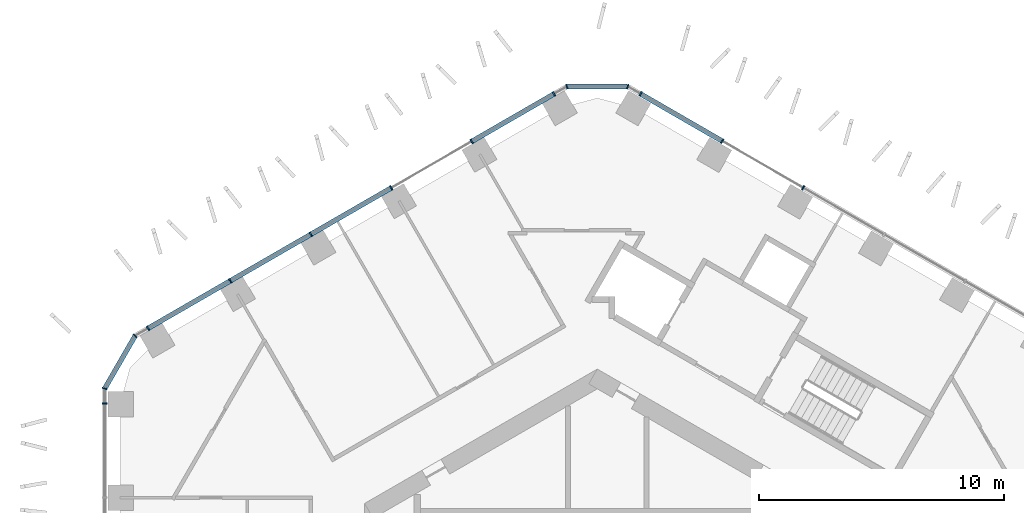
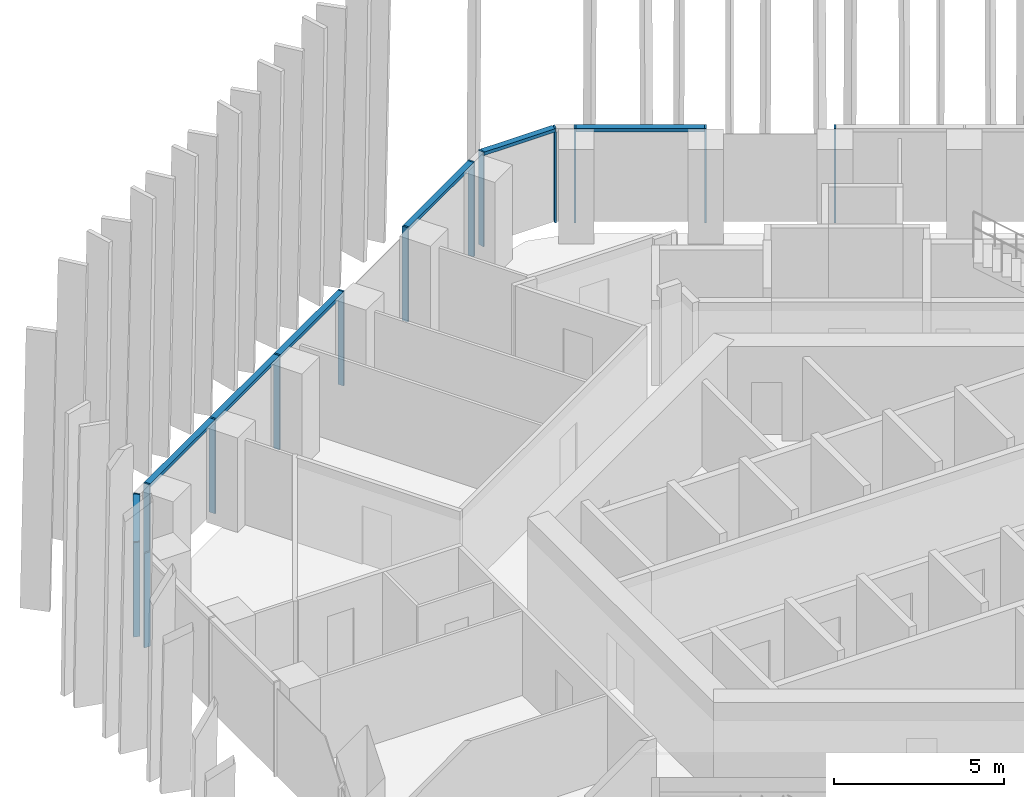
# One storey, part 5 of 18: 19 members, 5 elements without a shape of their own.
"""IFC4 building model written with IfcOpenShell, lengths in metres."""

from ifc_helpers import new_model, si_unit, direction, frame, origin, origin_2d, place, context, subcontext, project, spatial, rectangle, extrude, material, layer, layer_set, material_profile, profile_set, type_object, element, aggregate, save


model = new_model("IFC4")

# Units and contexts
model_context = context("Model", 3, precision=1e-05, world=origin(), true_north=direction((0.0, 1.0)))
body_context = subcontext(model_context, "Body", "Model", "MODEL_VIEW")
ifc_project = project(units=[si_unit("LENGTHUNIT", "METRE"), si_unit("AREAUNIT", "SQUARE_METRE"), si_unit("VOLUMEUNIT", "CUBIC_METRE"), si_unit("PLANEANGLEUNIT", "RADIAN"), si_unit("MASSUNIT", "GRAM", prefix="KILO")], contexts=[model_context])

# Site, building, storey
site_placement = place(None, origin())
site = spatial("IfcSite", under=ifc_project, at=site_placement, CompositionType="ELEMENT")
building_placement = place(site_placement, origin())
building = spatial("IfcBuilding", under=site, at=building_placement, Name="Ayvan Gate Tower", CompositionType="ELEMENT")
storey_placement = place(building_placement, frame((0.0, 0.0, 83.10009765625)))
storey = spatial("IfcBuildingStorey", under=building, at=storey_placement, Name="L21", CompositionType="ELEMENT", Elevation=83.10009765625)

# Curtain wall, members
ifc_material = material(Name="Bronze anodised aluminium", Category="aluminium")
ifc_layer_1 = layer(ifc_material, 0.199951171875)
ifc_layer_set_1 = layer_set([ifc_layer_1], Name="Bronze anodised aluminium")
curtain_wall_type_1 = type_object("IfcCurtainWallType", Name="Stick curtain wall CW-1", PredefinedType="NOTDEFINED", material=ifc_layer_set_1)
curtain_wall_1_placement = place(storey_placement, origin())
curtain_wall_1 = element("IfcCurtainWall", 1, at=curtain_wall_1_placement, inside=storey, type_object=curtain_wall_type_1, Name="Stick curtain wall CW-1 L21", PredefinedType="NOTDEFINED")
ifc_material_profile_1 = material_profile(ifc_material, rectangle(XDim=0.199951171875, YDim=0.06005859375, at=origin_2d()), Name="Stick curtain wall CW-1 mullion 200 x 60")
ifc_profile_set_1 = profile_set([ifc_material_profile_1], Name="Bronze anodised aluminium")
member_type_1 = type_object("IfcMemberType", Name="Stick curtain wall CW-1 mullion 200 x 60", PredefinedType="MULLION", material=ifc_profile_set_1)
member_1_placement = place(storey_placement, frame((-1.767333984375, 22.201416015625, 0.0), z_axis=(0.0, 0.0, 1.0), x_axis=(-0.5, 0.866025403784, 0.0)))
member_1 = element("IfcMember", 2, at=member_1_placement, type_object=member_type_1, Name="CW-1 mullion 1", PredefinedType="MULLION", context=body_context, shape_type="SweptSolid", body=[
    extrude(rectangle(XDim=0.199951171875, YDim=0.06005859375, at=origin_2d()), origin(), (0.0, 0.0, 1.0), 3.39990234375),
])
member_2_placement = place(storey_placement, frame((-5.12744140625, 20.261474609375, 0.0), z_axis=(0.0, 0.0, 1.0), x_axis=(-0.5, 0.866025403784, 0.0)))
member_2 = element("IfcMember", 3, at=member_2_placement, type_object=member_type_1, Name="CW-1 mullion 2", PredefinedType="MULLION", context=body_context, shape_type="SweptSolid", body=[
    extrude(rectangle(XDim=0.199951171875, YDim=0.06005859375, at=origin_2d()), origin(), (0.0, 0.0, 1.0), 3.39990234375),
])
member_3_placement = place(storey_placement, frame((-8.412353515625, 18.364990234375, 0.0), z_axis=(0.0, 0.0, 1.0), x_axis=(-0.5, 0.866025403784, 0.0)))
member_3 = element("IfcMember", 4, at=member_3_placement, type_object=member_type_1, Name="CW-1 mullion 3", PredefinedType="MULLION", context=body_context, shape_type="SweptSolid", body=[
    extrude(rectangle(XDim=0.199951171875, YDim=0.06005859375, at=origin_2d()), origin(), (0.0, 0.0, 1.0), 3.39990234375),
])
member_4_placement = place(storey_placement, frame((-11.697998046875, 16.4677734375, 0.0), z_axis=(0.0, 0.0, 1.0), x_axis=(-0.5, 0.866025403784, 0.0)))
member_4 = element("IfcMember", 5, at=member_4_placement, type_object=member_type_1, Name="CW-1 mullion 4", PredefinedType="MULLION", context=body_context, shape_type="SweptSolid", body=[
    extrude(rectangle(XDim=0.199951171875, YDim=0.06005859375, at=origin_2d()), origin(), (0.0, 0.0, 1.0), 3.39990234375),
])
member_5_placement = place(storey_placement, frame((-14.982666015625, 14.5712890625, 0.0), z_axis=(0.0, 0.0, 1.0), x_axis=(-0.5, 0.866025403784, 0.0)))
member_5 = element("IfcMember", 6, at=member_5_placement, type_object=member_type_1, Name="CW-1 mullion 5", PredefinedType="MULLION", context=body_context, shape_type="SweptSolid", body=[
    extrude(rectangle(XDim=0.199951171875, YDim=0.06005859375, at=origin_2d()), origin(), (0.0, 0.0, 1.0), 3.39990234375),
])
member_6_placement = place(storey_placement, frame((-18.34326171875, 12.631103515625, 0.0), z_axis=(0.0, 0.0, 1.0), x_axis=(-0.5, 0.866025403784, 0.0)))
member_6 = element("IfcMember", 7, at=member_6_placement, type_object=member_type_1, Name="CW-1 mullion 6", PredefinedType="MULLION", context=body_context, shape_type="SweptSolid", body=[
    extrude(rectangle(XDim=0.199951171875, YDim=0.06005859375, at=origin_2d()), origin(), (0.0, 0.0, 1.0), 3.39990234375),
])

# Curtain wall, member
curtain_wall_2_placement = place(storey_placement, origin())
curtain_wall_2 = element("IfcCurtainWall", 8, at=curtain_wall_2_placement, inside=storey, type_object=curtain_wall_type_1, Name="Stick curtain wall CW-1 L21", PredefinedType="NOTDEFINED")
member_7_placement = place(storey_placement, frame((-20.110595703125, 9.5703125, 0.0), z_axis=(0.0, 0.0, 1.0), x_axis=(-1.0, 0.0, 0.0)))
member_7 = element("IfcMember", 9, at=member_7_placement, type_object=member_type_1, Name="CW-1 mullion 1", PredefinedType="MULLION", context=body_context, shape_type="SweptSolid", body=[
    extrude(rectangle(XDim=0.199951171875, YDim=0.06005859375, at=origin_2d()), origin(), (0.0, 0.0, 1.0), 3.39990234375),
])
aggregate(curtain_wall_2, [member_7])

# Curtain wall, members
curtain_wall_3_placement = place(storey_placement, origin())
curtain_wall_3 = element("IfcCurtainWall", 10, at=curtain_wall_3_placement, inside=storey, type_object=curtain_wall_type_1, Name="Stick curtain wall CW-1 L21", PredefinedType="NOTDEFINED")
member_8_placement = place(storey_placement, frame((8.404052734375, 18.36962890625, 0.0), z_axis=(0.0, 0.0, 1.0), x_axis=(0.5, 0.866025403784, 0.0)))
member_8 = element("IfcMember", 11, at=member_8_placement, type_object=member_type_1, Name="CW-1 mullion 4", PredefinedType="MULLION", context=body_context, shape_type="SweptSolid", body=[
    extrude(rectangle(XDim=0.199951171875, YDim=0.06005859375, at=origin_2d()), origin(), (0.0, 0.0, 1.0), 3.39990234375),
])
member_9_placement = place(storey_placement, frame((5.10107421875, 20.276611328125, 0.0), z_axis=(0.0, 0.0, 1.0), x_axis=(0.5, 0.866025403784, 0.0)))
member_9 = element("IfcMember", 12, at=member_9_placement, type_object=member_type_1, Name="CW-1 mullion 5", PredefinedType="MULLION", context=body_context, shape_type="SweptSolid", body=[
    extrude(rectangle(XDim=0.199951171875, YDim=0.06005859375, at=origin_2d()), origin(), (0.0, 0.0, 1.0), 3.39990234375),
])
member_10_placement = place(storey_placement, frame((1.767333984375, 22.201416015625, 0.0), z_axis=(0.0, 0.0, 1.0), x_axis=(0.5, 0.866025403784, 0.0)))
member_10 = element("IfcMember", 13, at=member_10_placement, type_object=member_type_1, Name="CW-1 mullion 6", PredefinedType="MULLION", context=body_context, shape_type="SweptSolid", body=[
    extrude(rectangle(XDim=0.199951171875, YDim=0.06005859375, at=origin_2d()), origin(), (0.0, 0.0, 1.0), 3.39990234375),
])

# Member
ifc_material_profile_2 = material_profile(ifc_material, rectangle(XDim=0.199951171875, YDim=0.1201171875, at=origin_2d()), Name="Stick curtain wall CW-1 transom 200 x 120")
ifc_profile_set_2 = profile_set([ifc_material_profile_2], Name="Bronze anodised aluminium")
member_type_2 = type_object("IfcMemberType", Name="Stick curtain wall CW-1 transom 200 x 120", PredefinedType="USERDEFINED", material=ifc_profile_set_2)
member_11_placement = place(storey_placement, frame((-1.767333984375, 22.201416015625, 3.33984375), z_axis=(-0.866006051527, -0.500033517596, 0.0), x_axis=(0.500033517596, -0.866006051527, 0.0)))
member_11 = element("IfcMember", 14, at=member_11_placement, type_object=member_type_2, Name="CW-1 transom 1", ObjectType="TRANSOM", PredefinedType="USERDEFINED", context=body_context, shape_type="SweptSolid", body=[
    extrude(rectangle(XDim=0.199951171875, YDim=0.1201171875, at=origin_2d()), origin(), (0.0, 0.0, 1.0), 3.849853515625),
])

member_12_placement = place(storey_placement, frame((-8.438232421875, 18.349853515625, 3.33984375), z_axis=(-0.866022425402, -0.500005158675, 0.0), x_axis=(0.500005158675, -0.866022425402, 0.0)))
member_12 = element("IfcMember", 15, at=member_12_placement, type_object=member_type_2, Name="CW-1 transom 2", ObjectType="TRANSOM", PredefinedType="USERDEFINED", context=body_context, shape_type="SweptSolid", body=[
    extrude(rectangle(XDim=0.199951171875, YDim=0.1201171875, at=origin_2d()), origin(), (0.0, 0.0, 1.0), 11.4375),
])

aggregate(curtain_wall_1, [member_1, member_2, member_3, member_4, member_5, member_6, member_11, member_12])

member_13_placement = place(storey_placement, frame((5.074951171875, 20.291748046875, 3.33984375), z_axis=(-0.866023783073, 0.500002807145, 0.0), x_axis=(-0.500002807145, -0.866023783073, 0.0)))
member_13 = element("IfcMember", 16, at=member_13_placement, type_object=member_type_2, Name="CW-1 transom 2", ObjectType="TRANSOM", PredefinedType="USERDEFINED", context=body_context, shape_type="SweptSolid", body=[
    extrude(rectangle(XDim=0.199951171875, YDim=0.1201171875, at=origin_2d()), origin(), (0.0, 0.0, 1.0), 3.8193359375),
])

aggregate(curtain_wall_3, [member_8, member_9, member_10, member_13])

# Curtain wall, members
ifc_layer_2 = layer(ifc_material, 0.199951171875)
ifc_layer_set_2 = layer_set([ifc_layer_2], Name="Bronze anodised aluminium")
curtain_wall_type_2 = type_object("IfcCurtainWallType", Name="Stick curtain wall CW-6", PredefinedType="NOTDEFINED", material=ifc_layer_set_2)
curtain_wall_4_placement = place(storey_placement, origin())
curtain_wall_4 = element("IfcCurtainWall", 17, at=curtain_wall_4_placement, inside=storey, type_object=curtain_wall_type_2, Name="Stick curtain wall CW-6 L21", PredefinedType="NOTDEFINED")
ifc_material_profile_3 = material_profile(ifc_material, rectangle(XDim=0.199951171875, YDim=0.050048828125, at=origin_2d()), Name="Stick curtain wall CW-6 mullion 200 x 50")
ifc_profile_set_3 = profile_set([ifc_material_profile_3], Name="Bronze anodised aluminium")
member_type_3 = type_object("IfcMemberType", Name="Stick curtain wall CW-6 mullion 200 x 50", PredefinedType="MULLION", material=ifc_profile_set_3)
member_14_placement = place(storey_placement, frame((-18.8671875, 12.32861328125, 0.0), z_axis=(0.0, 0.0, 1.0), x_axis=(-0.707106781187, 0.707106781187, 0.0)))
member_14 = element("IfcMember", 18, at=member_14_placement, type_object=member_type_3, Name="CW-6 mullion 2", PredefinedType="MULLION", context=body_context, shape_type="SweptSolid", body=[
    extrude(rectangle(XDim=0.199951171875, YDim=0.050048828125, at=origin_2d()), origin(), (0.0, 0.0, 1.0), 3.39990234375),
])
member_15_placement = place(storey_placement, frame((-20.110595703125, 10.17529296875, 0.0), z_axis=(0.0, 0.0, 1.0), x_axis=(-0.965925826289, 0.258819045103, 0.0)))
member_15 = element("IfcMember", 19, at=member_15_placement, type_object=member_type_3, Name="CW-6 mullion 3", PredefinedType="MULLION", context=body_context, shape_type="SweptSolid", body=[
    extrude(rectangle(XDim=0.199951171875, YDim=0.050048828125, at=origin_2d()), origin(), (0.0, 0.0, 1.0), 3.39990234375),
])

curtain_wall_5_placement = place(storey_placement, origin())
curtain_wall_5 = element("IfcCurtainWall", 20, at=curtain_wall_5_placement, inside=storey, type_object=curtain_wall_type_2, Name="Stick curtain wall CW-6 L21", PredefinedType="NOTDEFINED")
member_16_placement = place(storey_placement, frame((1.2431640625, 22.50390625, 0.0), z_axis=(0.0, 0.0, 1.0), x_axis=(0.258819045103, 0.965925826289, 0.0)))
member_16 = element("IfcMember", 21, at=member_16_placement, type_object=member_type_3, Name="CW-6 mullion 2", PredefinedType="MULLION", context=body_context, shape_type="SweptSolid", body=[
    extrude(rectangle(XDim=0.199951171875, YDim=0.050048828125, at=origin_2d()), origin(), (0.0, 0.0, 1.0), 3.39990234375),
])
member_17_placement = place(storey_placement, frame((-1.2431640625, 22.50390625, 0.0), z_axis=(0.0, 0.0, 1.0), x_axis=(-0.258819045103, 0.965925826289, 0.0)))
member_17 = element("IfcMember", 22, at=member_17_placement, type_object=member_type_3, Name="CW-6 mullion 3", PredefinedType="MULLION", context=body_context, shape_type="SweptSolid", body=[
    extrude(rectangle(XDim=0.199951171875, YDim=0.050048828125, at=origin_2d()), origin(), (0.0, 0.0, 1.0), 3.39990234375),
])

# Member
ifc_material_profile_4 = material_profile(ifc_material, rectangle(XDim=0.199951171875, YDim=0.1201171875, at=origin_2d()), Name="Stick curtain wall CW-6 transom 200 x 120")
ifc_profile_set_4 = profile_set([ifc_material_profile_4], Name="Bronze anodised aluminium")
member_type_4 = type_object("IfcMemberType", Name="Stick curtain wall CW-6 transom 200 x 120", PredefinedType="USERDEFINED", material=ifc_profile_set_4)
member_18_placement = place(storey_placement, frame((-18.8798828125, 12.306884765625, 3.33984375), z_axis=(-0.499997116, -0.866027068856, 0.0), x_axis=(0.866027068856, -0.499997116, 0.0)))
member_18 = element("IfcMember", 23, at=member_18_placement, type_object=member_type_4, Name="CW-6 transom 2", ObjectType="TRANSOM", PredefinedType="USERDEFINED", context=body_context, shape_type="SweptSolid", body=[
    extrude(rectangle(XDim=0.199951171875, YDim=0.1201171875, at=origin_2d()), origin(), (0.0, 0.0, 1.0), 2.4365234375),
])

aggregate(curtain_wall_4, [member_14, member_15, member_18])

member_19_placement = place(storey_placement, frame((1.21826171875, 22.50390625, 3.33984375), z_axis=(-1.0, 0.0, 0.0), x_axis=(0.0, -1.0, 0.0)))
member_19 = element("IfcMember", 24, at=member_19_placement, type_object=member_type_4, Name="CW-6 transom 2", ObjectType="TRANSOM", PredefinedType="USERDEFINED", context=body_context, shape_type="SweptSolid", body=[
    extrude(rectangle(XDim=0.199951171875, YDim=0.1201171875, at=origin_2d()), origin(), (0.0, 0.0, 1.0), 2.4365234375),
])

aggregate(curtain_wall_5, [member_16, member_17, member_19])

save(model, "model.ifc")
